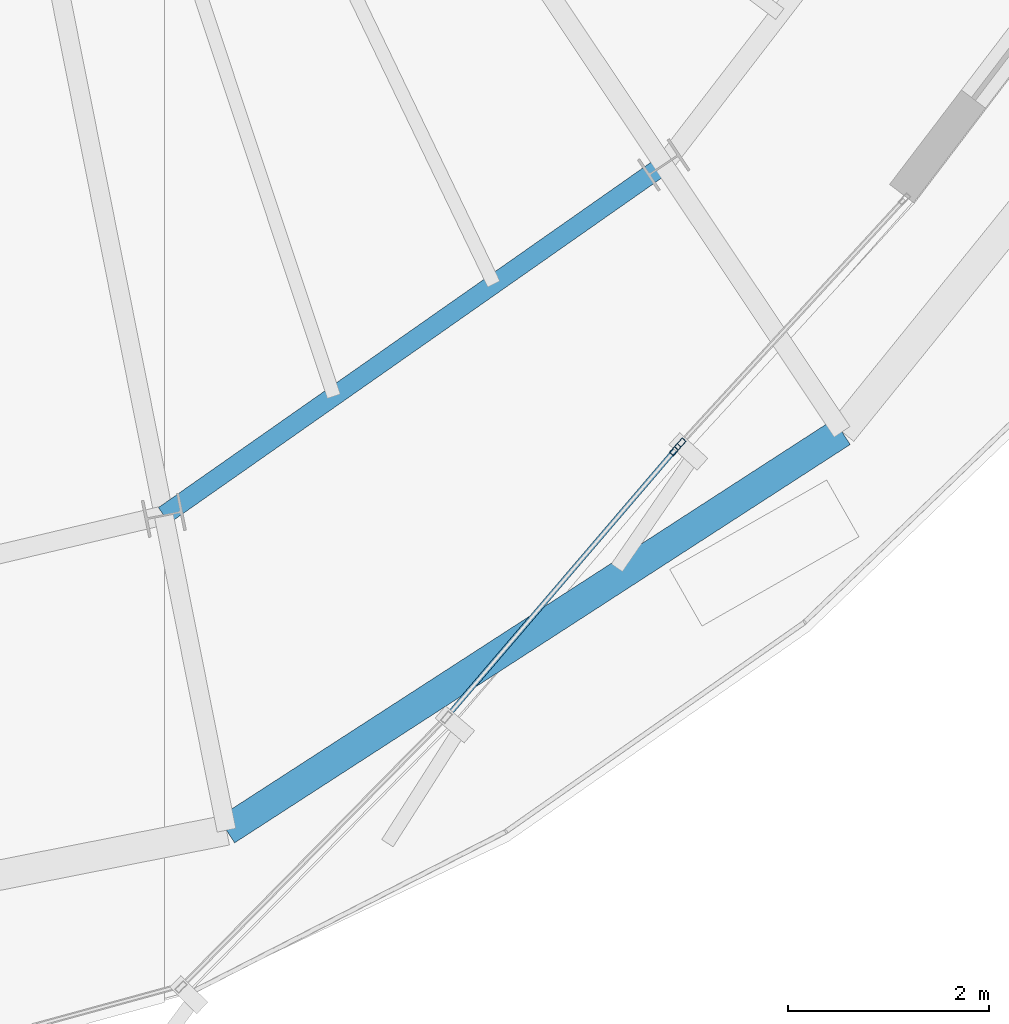
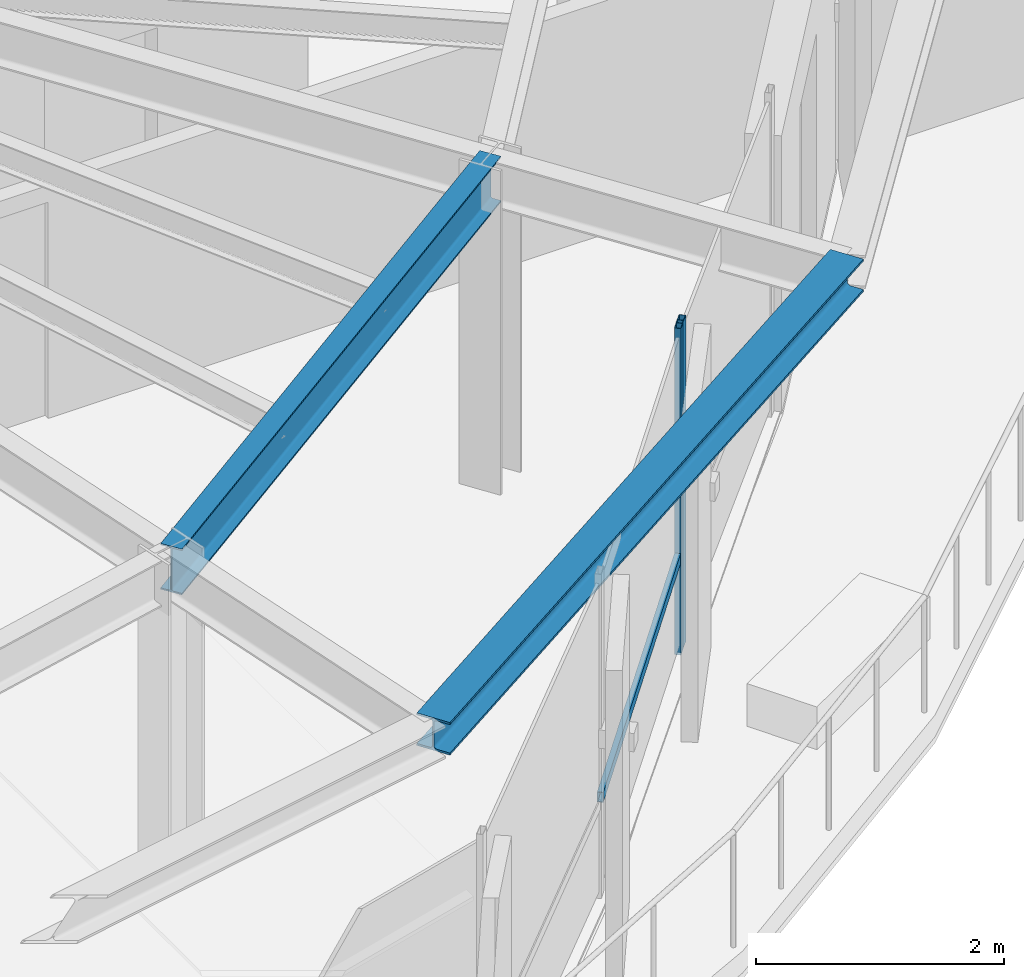
# One storey, part 7 of 30: 3 members, 2 beams, 2 elements without a shape of their own.
"""IFC4 building model written with IfcOpenShell, lengths in metres."""

from ifc_helpers import new_model, si_unit, direction, frame, origin, origin_2d, place, context, subcontext, project, spatial, hollow_rectangle, i_section, extrude, source, transform, mapped, material, layer, layer_set, material_profile, profile_set, type_object, element, aggregate, save


model = new_model("IFC4")

# Units and contexts
model_context = context("Model", 3, precision=1e-05, world=origin(), true_north=direction((0.0, 1.0)))
body_context = subcontext(model_context, "Body", "Model", "MODEL_VIEW")
ifc_project = project(units=[si_unit("LENGTHUNIT", "METRE"), si_unit("AREAUNIT", "SQUARE_METRE"), si_unit("VOLUMEUNIT", "CUBIC_METRE"), si_unit("PLANEANGLEUNIT", "RADIAN"), si_unit("MASSUNIT", "GRAM", prefix="KILO"), si_unit("THERMODYNAMICTEMPERATUREUNIT", "KELVIN")], contexts=[model_context])

# Site, building, storey
site_placement = place(None, origin())
site = spatial("IfcSite", under=ifc_project, at=site_placement, CompositionType="ELEMENT")
building_placement = place(site_placement, origin())
building = spatial("IfcBuilding", under=site, at=building_placement, Name="Kethvar Cultural Tower", CompositionType="ELEMENT")
storey_placement = place(building_placement, frame((0.0, 0.0, 293.949951171875)))
storey = spatial("IfcBuildingStorey", under=building, at=storey_placement, Name="L78", CompositionType="ELEMENT", Elevation=293.949951171875)

# Beams
ifc_material_1 = material(Name="Steel S355J2", Category="steel")
ifc_material_profile_1 = material_profile(ifc_material_1, i_section(OverallWidth=0.18994140625, OverallDepth=0.449951171875, WebThickness=0.009521484375, FlangeThickness=0.0146484375, FilletRadius=0.02099609375, at=origin_2d()), Name="Steel S355J2 — IPE450")
ifc_profile_set_1 = profile_set([ifc_material_profile_1], Name="Steel S355J2 — IPE450")
beam_type_1 = type_object("IfcBeamType", Name="BM-IPE450", PredefinedType="BEAM", material=ifc_profile_set_1)
shared_shape_1 = source(origin(), body_context, "Body", "SweptSolid", [
    extrude(i_section(OverallWidth=0.18994140625, OverallDepth=0.449951171875, WebThickness=0.009521484375, FlangeThickness=0.0146484375, FilletRadius=0.02099609375, at=origin_2d()), origin(), (0.0, 0.0, 1.0), 6.0859375),
])
beam_1_placement = place(storey_placement, frame((49.901611328125, 12.206787109375, 2.983154296875), z_axis=(0.818843498091, 0.57401683393, 0.0), x_axis=(-0.57401683393, 0.818843498091, 0.0)))
element("IfcBeam", 1, at=beam_1_placement, inside=storey, type_object=beam_type_1, Name="L78 Column Ring Tie Beam CR-13", PredefinedType="BEAM", context=body_context, shape_type="MappedRepresentation", body=[
    mapped(shared_shape_1, transform((0.0, 0.0, 0.0), scale=1.0)),
])
ifc_material_profile_2 = material_profile(ifc_material_1, i_section(OverallWidth=0.300048828125, OverallDepth=0.320068359375, WebThickness=0.011474609375, FlangeThickness=0.0205078125, FilletRadius=0.027099609375, at=origin_2d()), Name="Steel S355J2 — HEB320")
ifc_profile_set_2 = profile_set([ifc_material_profile_2], Name="Steel S355J2 — HEB320")
beam_type_2 = type_object("IfcBeamType", Name="BM-SP320", PredefinedType="SPANDREL", material=ifc_profile_set_2)
shared_shape_2 = source(origin(), body_context, "Body", "SweptSolid", [
    extrude(i_section(OverallWidth=0.300048828125, OverallDepth=0.320068359375, WebThickness=0.011474609375, FlangeThickness=0.0205078125, FilletRadius=0.027099609375, at=origin_2d()), origin(), (0.0, 0.0, 1.0), 7.309326171875),
])
beam_2_placement = place(storey_placement, frame((50.52587890625, 9.068359375, 3.048095703125), z_axis=(0.839562091992, 0.543263742292, 0.0), x_axis=(-0.543263742292, 0.839562091992, 0.0)))
element("IfcBeam", 2, at=beam_2_placement, inside=storey, type_object=beam_type_2, Name="L78 Perimeter Spandrel Beam SP-13", PredefinedType="SPANDREL", context=body_context, shape_type="MappedRepresentation", body=[
    mapped(shared_shape_2, transform((0.0, 0.0, 0.0), scale=1.0)),
])

# Curtain wall, member
ifc_material_2 = material(Name="Aluminium 6063-T6", Category="aluminium")
ifc_layer = layer(ifc_material_2, 0.179931640625, Name="Aluminium 6063-T6", Category="aluminium")
ifc_layer_set = layer_set([ifc_layer], Name="Aluminium 6063-T6 (180 mm)")
curtain_wall_type = type_object("IfcCurtainWallType", Name="CW-SYS-05-Z56", PredefinedType="NOTDEFINED", material=ifc_layer_set)
curtain_wall_1_placement = place(storey_placement, origin())
curtain_wall_1 = element("IfcCurtainWall", 3, at=curtain_wall_1_placement, inside=storey, type_object=curtain_wall_type, Name="L78 Curtain Wall Run 04", PredefinedType="NOTDEFINED")
ifc_material_profile_3 = material_profile(ifc_material_2, hollow_rectangle(XDim=0.054931640625, YDim=0.1201171875, WallThickness=0.00390625, at=origin_2d()), Name="Aluminium 6063-T6 — RHS120x55x4")
ifc_profile_set_3 = profile_set([ifc_material_profile_3], Name="Aluminium 6063-T6 — RHS120x55x4")
member_type_1 = type_object("IfcMemberType", Name="CW-SYS-05-Z56-MUL", PredefinedType="MULLION", material=ifc_profile_set_3)
shared_shape_3 = source(origin(), body_context, "Body", "SweptSolid", [
    extrude(hollow_rectangle(XDim=0.054931640625, YDim=0.1201171875, WallThickness=0.00390625, at=origin_2d()), origin(), (0.0, 0.0, 1.0), 3.2099609375),
])
member_1_placement = place(storey_placement, frame((54.999755859375, 12.862060546875, 0.0), z_axis=(0.0, 0.0, 1.0), x_axis=(-0.760145199185, 0.649753242513, 0.0)))
member_1 = element("IfcMember", 4, at=member_1_placement, type_object=member_type_1, Name="CW-L78-R04 Mullion 7", PredefinedType="MULLION", context=body_context, shape_type="MappedRepresentation", body=[
    mapped(shared_shape_3, transform((0.0, 0.0, 0.0), scale=1.0)),
])

curtain_wall_2_placement = place(storey_placement, origin())
curtain_wall_2 = element("IfcCurtainWall", 5, at=curtain_wall_2_placement, inside=storey, type_object=curtain_wall_type, Name="L78 Curtain Wall Run 05", PredefinedType="NOTDEFINED")
member_2_placement = place(storey_placement, frame((55.04931640625, 12.918212890625, 0.0), z_axis=(0.0, 0.0, 1.0), x_axis=(-0.737513117358, 0.675332808121, 0.0)))
member_2 = element("IfcMember", 6, at=member_2_placement, type_object=member_type_1, Name="CW-L78-R05 Mullion 1", PredefinedType="MULLION", context=body_context, shape_type="MappedRepresentation", body=[
    mapped(shared_shape_3, transform((0.0, 0.0, 0.0), scale=1.0)),
])
aggregate(curtain_wall_2, [member_2])

# Member
ifc_material_profile_4 = material_profile(ifc_material_2, hollow_rectangle(XDim=0.050048828125, YDim=0.10009765625, WallThickness=0.00390625, at=origin_2d()), Name="Aluminium 6063-T6 — RHS100x50x4")
ifc_profile_set_4 = profile_set([ifc_material_profile_4], Name="Aluminium 6063-T6 — RHS100x50x4")
member_type_2 = type_object("IfcMemberType", Name="CW-SYS-05-Z56-TRN", PredefinedType="USERDEFINED", material=ifc_profile_set_4)
shared_shape_4 = source(origin(), body_context, "Body", "SweptSolid", [
    extrude(hollow_rectangle(XDim=0.050048828125, YDim=0.10009765625, WallThickness=0.00390625, at=origin_2d()), origin(), (0.0, 0.0, 1.0), 3.46630859375),
])
member_3_placement = place(storey_placement, frame((52.744873046875, 10.224365234375, 0.949951171875), z_axis=(0.649804777932, 0.760101144965, 0.0), x_axis=(-0.760101144965, 0.649804777932, 0.0)))
member_3 = element("IfcMember", 7, at=member_3_placement, type_object=member_type_2, Name="CW-L78-R04 Transom 6", ObjectType="TRANSOM", PredefinedType="USERDEFINED", context=body_context, shape_type="MappedRepresentation", body=[
    mapped(shared_shape_4, transform((0.0, 0.0, 0.0), scale=1.0)),
])

aggregate(curtain_wall_1, [member_1, member_3])

save(model, "model.ifc")
